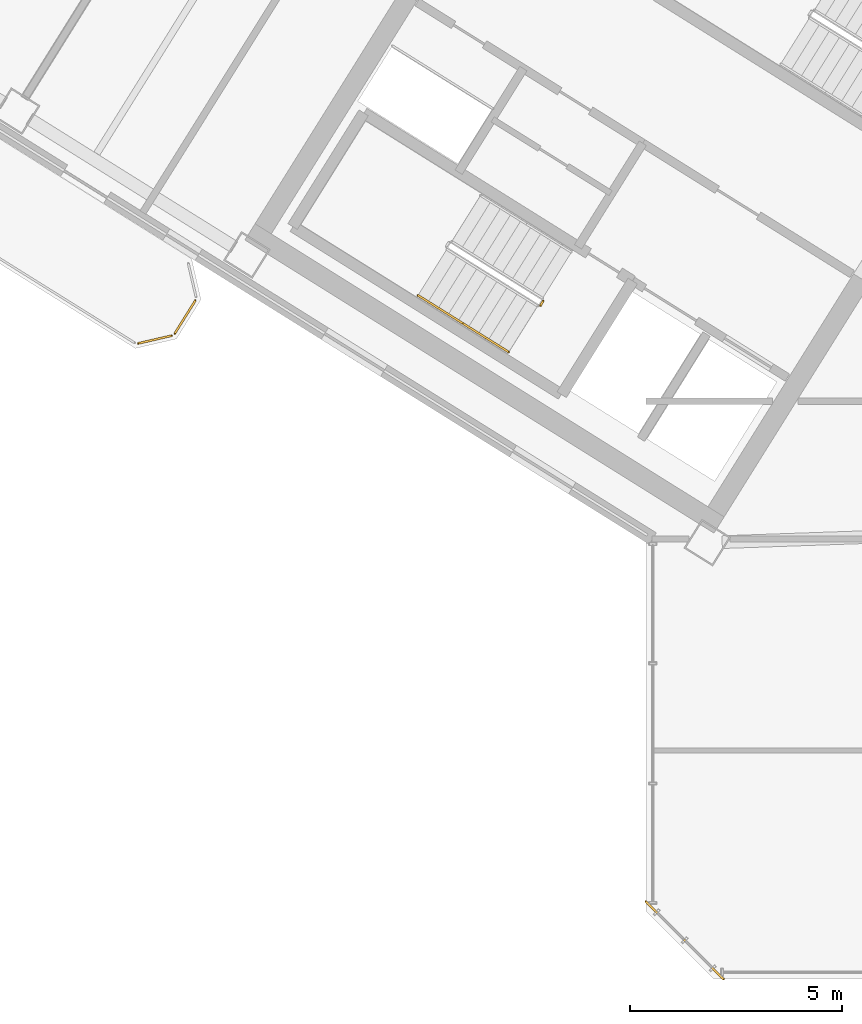
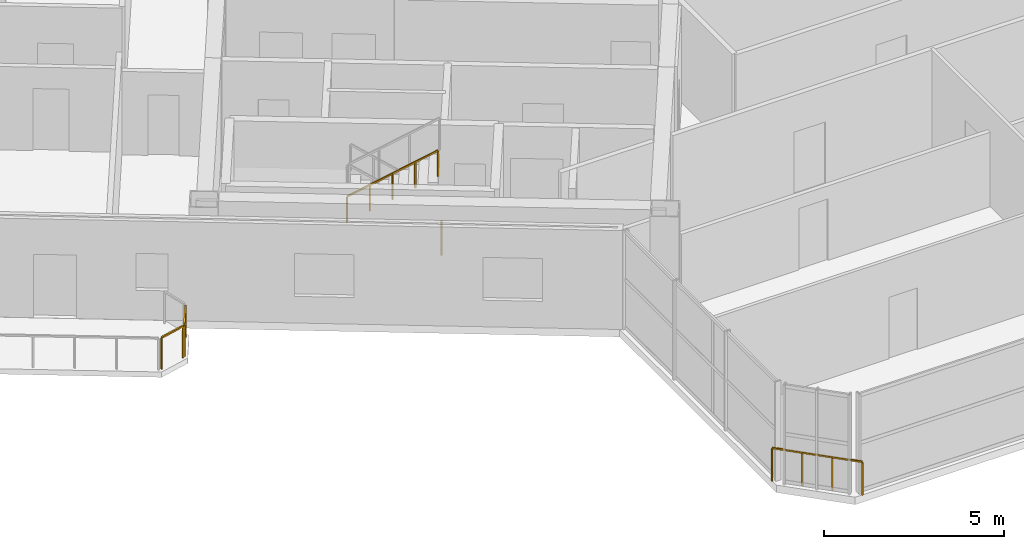
# One storey, part 17 of 21: 6 railings.
"""IFC4 building model written with IfcOpenShell, lengths in metres."""

from ifc_helpers import new_model, si_unit, direction, frame, origin, origin_2d, place, context, subcontext, project, spatial, rectangle, extrude, source, transform, mapped, material, type_object, element, save


model = new_model("IFC4")

# Units and contexts
model_context = context("Model", 3, precision=1e-05, world=origin(), true_north=direction((0.0, 1.0)))
body_context = subcontext(model_context, "Body", "Model", "MODEL_VIEW")
ifc_project = project(units=[si_unit("LENGTHUNIT", "METRE"), si_unit("AREAUNIT", "SQUARE_METRE"), si_unit("VOLUMEUNIT", "CUBIC_METRE"), si_unit("PLANEANGLEUNIT", "RADIAN"), si_unit("MASSUNIT", "GRAM", prefix="KILO")], contexts=[model_context])

# Site, building, storey
site_placement = place(None, origin())
site = spatial("IfcSite", under=ifc_project, at=site_placement, CompositionType="ELEMENT")
building_placement = place(site_placement, origin())
building = spatial("IfcBuilding", under=site, at=building_placement, Name="Tlacorven Tower", CompositionType="ELEMENT")
storey_placement = place(building_placement, frame((0.0, 0.0, 214.800048828125)))
storey = spatial("IfcBuildingStorey", under=building, at=storey_placement, Name="L54", CompositionType="ELEMENT", Elevation=214.800048828125)

# Railings
ifc_material = material(Name="Aluminium and painted steel balustrade", Category="steel")
railing_type_1 = type_object("IfcRailingType", Name="RL-BAL-1100", PredefinedType="BALUSTRADE", material=ifc_material)
shared_shape_1 = source(origin(), body_context, "Body", "SweptSolid", [
    extrude(rectangle(XDim=0.048095703125, YDim=0.048095703125, at=origin_2d()), frame((0.0, 0.0, 1.076171875), z_axis=(-0.52987865805, -0.848073468364, 0.0), x_axis=(0.848073468364, -0.52987865805, 0.0)), (0.0, 0.0, 1.0), 0.912353515625),
    extrude(rectangle(XDim=0.0419921875, YDim=0.0419921875, at=origin_2d()), origin(), (0.0, 0.0, 1.0), 1.052001953125),
    extrude(rectangle(XDim=0.0419921875, YDim=0.0419921875, at=origin_2d()), frame((-0.4833984375, -0.773681640625, 0.0)), (0.0, 0.0, 1.0), 1.052001953125),
])
railing_1_placement = place(storey_placement, frame((20.976318359375, 17.793701171875, 0.0)))
element("IfcRailing", 1, at=railing_1_placement, inside=storey, type_object=railing_type_1, Name="BAL-L54-W-OUT Guard Railing 2", PredefinedType="BALUSTRADE", context=body_context, shape_type="MappedRepresentation", body=[
    mapped(shared_shape_1, transform((0.0, 0.0, 0.0), scale=1.0)),
])
shared_shape_2 = source(origin(), body_context, "Body", "SweptSolid", [
    extrude(rectangle(XDim=0.048095703125, YDim=0.048095703125, at=origin_2d()), frame((0.0, 0.0, 1.076171875), z_axis=(-0.974345290916, -0.225058334816, 0.0), x_axis=(0.225058334816, -0.974345290916, 0.0)), (0.0, 0.0, 1.0), 0.80712890625),
    extrude(rectangle(XDim=0.0419921875, YDim=0.0419921875, at=origin_2d()), origin(), (0.0, 0.0, 1.0), 1.052001953125),
    extrude(rectangle(XDim=0.0419921875, YDim=0.0419921875, at=origin_2d()), frame((-0.786376953125, -0.181640625, 0.0)), (0.0, 0.0, 1.0), 1.052001953125),
])
railing_2_placement = place(storey_placement, frame((20.417724609375, 16.966552734375, 0.0)))
element("IfcRailing", 2, at=railing_2_placement, inside=storey, type_object=railing_type_1, Name="BAL-L54-W-OUT Guard Railing 3", PredefinedType="BALUSTRADE", context=body_context, shape_type="MappedRepresentation", body=[
    mapped(shared_shape_2, transform((0.0, 0.0, 0.0), scale=1.0)),
])
railing_type_2 = type_object("IfcRailingType", Name="RL-GRD-1150", PredefinedType="GUARDRAIL", material=ifc_material)
shared_shape_3 = source(origin(), body_context, "Body", "SweptSolid", [
    extrude(rectangle(XDim=0.048095703125, YDim=0.048095703125, at=origin_2d()), frame((0.0, 0.0, 1.1259765625), z_axis=(-0.707106781187, 0.707106781187, 0.0), x_axis=(-0.707106781187, -0.707106781187, 0.0)), (0.0, 0.0, 1.0), 2.590087890625),
    extrude(rectangle(XDim=0.0419921875, YDim=0.0419921875, at=origin_2d()), origin(), (0.0, 0.0, 1.0), 1.101806640625),
    extrude(rectangle(XDim=0.0419921875, YDim=0.0419921875, at=origin_2d()), frame((-0.610595703125, 0.610595703125, 0.0)), (0.0, 0.0, 1.0), 1.101806640625),
    extrude(rectangle(XDim=0.0419921875, YDim=0.0419921875, at=origin_2d()), frame((-1.220947265625, 1.220947265625, 0.0)), (0.0, 0.0, 1.0), 1.101806640625),
    extrude(rectangle(XDim=0.0419921875, YDim=0.0419921875, at=origin_2d()), frame((-1.83154296875, 1.83154296875, 0.0)), (0.0, 0.0, 1.0), 1.101806640625),
])
railing_3_placement = place(storey_placement, frame((33.428955078125, 1.79736328125, 0.0)))
element("IfcRailing", 3, at=railing_3_placement, inside=storey, type_object=railing_type_2, Name="L54 Knuckle Glazed Sill Guard 1", PredefinedType="GUARDRAIL", context=body_context, shape_type="MappedRepresentation", body=[
    mapped(shared_shape_3, transform((0.0, 0.0, 0.0), scale=1.0)),
])
railing_type_3 = type_object("IfcRailingType", Name="RL-GRD-1100", PredefinedType="GUARDRAIL", material=ifc_material)
shared_shape_4 = source(origin(), body_context, "Body", "SweptSolid", [
    extrude(rectangle(XDim=0.048095703125, YDim=0.048095703125, at=origin_2d()), frame((0.0, 0.0, 1.076171875), z_axis=(-0.529084052582, -0.848569422795, 0.0), x_axis=(0.848569422795, -0.529084052582, 0.0)), (0.0, 0.0, 1.0), 0.119873046875),
    extrude(rectangle(XDim=0.0419921875, YDim=0.0419921875, at=origin_2d()), origin(), (0.0, 0.0, 1.0), 1.052001953125),
    extrude(rectangle(XDim=0.0419921875, YDim=0.0419921875, at=origin_2d()), frame((-0.0634765625, -0.101806640625, 0.0)), (0.0, 0.0, 1.0), 1.052001953125),
])
railing_4_placement = place(storey_placement, frame((29.176513671875, 17.782958984375, 0.0)))
element("IfcRailing", 4, at=railing_4_placement, inside=storey, type_object=railing_type_3, Name="L54 ST-W1 stair guard 4", PredefinedType="GUARDRAIL", context=body_context, shape_type="MappedRepresentation", body=[
    mapped(shared_shape_4, transform((0.0, 0.0, 0.0), scale=1.0)),
])
railing_type_4 = type_object("IfcRailingType", Name="RL-HND-0900", PredefinedType="HANDRAIL", material=ifc_material)
shared_shape_5 = source(origin(), body_context, "Body", "SweptSolid", [
    extrude(rectangle(XDim=0.048095703125, YDim=0.048095703125, at=origin_2d()), frame((0.0, 0.0, 0.8759765625), z_axis=(0.713359751793, -0.4457479829, 0.540764828981), x_axis=(0.529911857636, 0.848052724267, 0.0)), (0.0, 0.0, 1.0), 1.498046875),
    extrude(rectangle(XDim=0.0419921875, YDim=0.0419921875, at=origin_2d()), origin(), (0.0, 0.0, 1.0), 0.851806640625),
    extrude(rectangle(XDim=0.0419921875, YDim=0.0419921875, at=origin_2d()), frame((0.5341796875, -0.333984375, 0.405029296875)), (0.0, 0.0, 1.0), 0.851806640625),
    extrude(rectangle(XDim=0.0419921875, YDim=0.0419921875, at=origin_2d()), frame((1.068603515625, -0.667724609375, 0.81005859375)), (0.0, 0.0, 1.0), 0.851806640625),
])
railing_5_placement = place(storey_placement, frame((26.228759765625, 17.915283203125, 1.97998046875)))
element("IfcRailing", 5, at=railing_5_placement, inside=storey, type_object=railing_type_4, Name="L54 ST-W1 stair handrail 3", PredefinedType="HANDRAIL", context=body_context, shape_type="MappedRepresentation", body=[
    mapped(shared_shape_5, transform((0.0, 0.0, 0.0), scale=1.0)),
])
shared_shape_6 = source(origin(), body_context, "Body", "SweptSolid", [
    extrude(rectangle(XDim=0.048095703125, YDim=0.048095703125, at=origin_2d()), frame((0.0, 0.0, 0.8759765625), z_axis=(0.713342573076, -0.445839108173, 0.540712366292), x_axis=(0.529998940003, 0.847998304005, 0.0)), (0.0, 0.0, 1.0), 1.49755859375),
    extrude(rectangle(XDim=0.0419921875, YDim=0.0419921875, at=origin_2d()), origin(), (0.0, 0.0, 1.0), 0.851806640625),
    extrude(rectangle(XDim=0.0419921875, YDim=0.0419921875, at=origin_2d()), frame((0.5341796875, -0.333984375, 0.40478515625)), (0.0, 0.0, 1.0), 0.851806640625),
    extrude(rectangle(XDim=0.0419921875, YDim=0.0419921875, at=origin_2d()), frame((1.068359375, -0.667724609375, 0.809814453125)), (0.0, 0.0, 1.0), 0.851806640625),
])
railing_6_placement = place(storey_placement, frame((27.29736328125, 17.24755859375, 2.7900390625)))
element("IfcRailing", 6, at=railing_6_placement, inside=storey, type_object=railing_type_4, Name="L54 ST-W1 stair handrail 4", PredefinedType="HANDRAIL", context=body_context, shape_type="MappedRepresentation", body=[
    mapped(shared_shape_6, transform((0.0, 0.0, 0.0), scale=1.0)),
])

save(model, "model.ifc")
